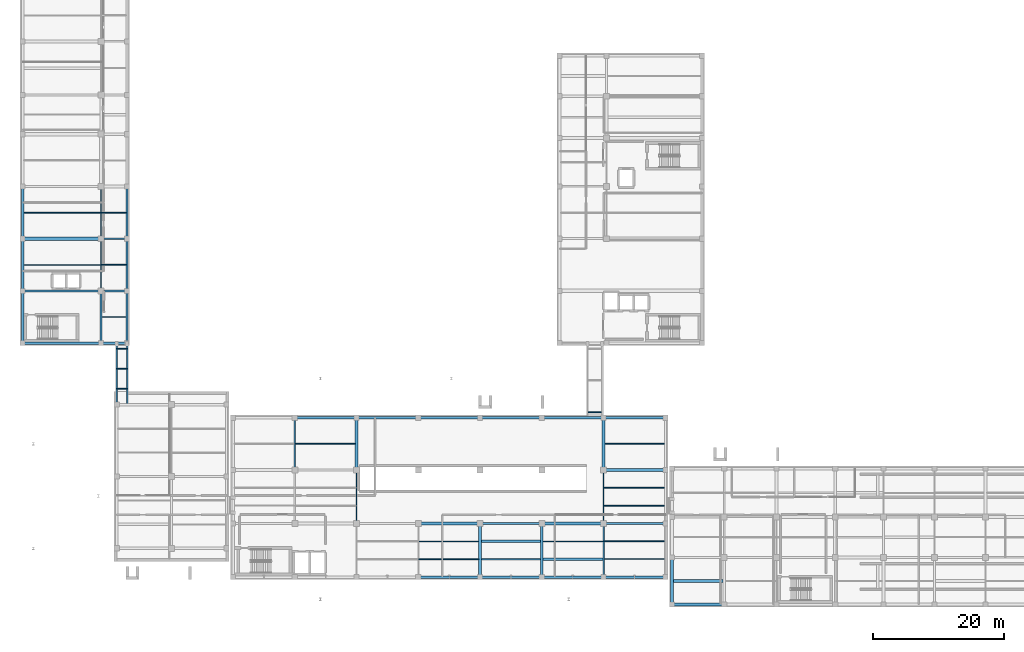
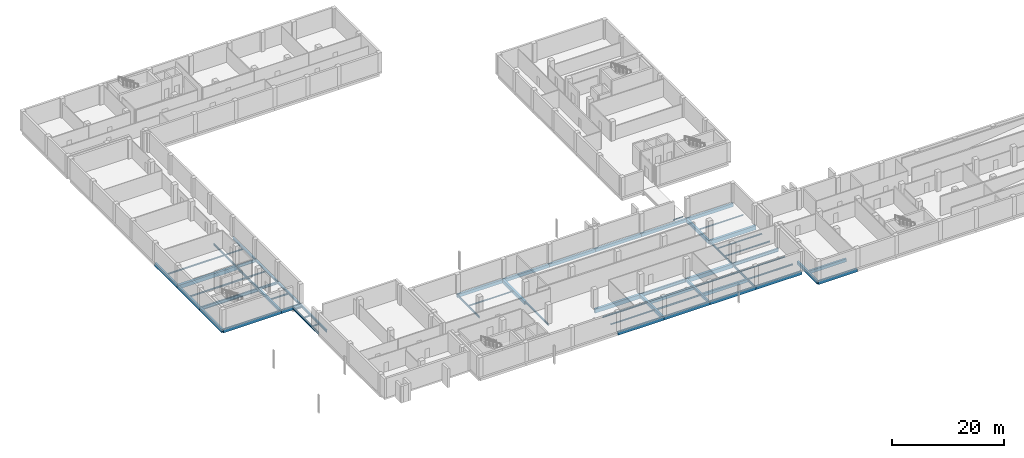
# One storey, part 9 of 31: 64 beams.
"""IFC4 building model written with IfcOpenShell, lengths in metres."""

import ifcopenshell
import ifcopenshell.guid

model = None  # the IFC model being written
_history = None  # IfcOwnerHistory: only IFC2X3 demands one
_inside = {}  # id of a spatial element -> (the spatial element, [elements in it])
_under = {}  # id of a project, library or spatial element -> (it, [spatial elements below it])
_declared = {}  # id of a project -> (the project, [libraries it declares])
_typed = {}  # id of a type object -> (the type object, [elements of that type])
_made_of = {}  # id of a material, layer set ... -> (it, [elements and type objects made of it])


def new_model(schema):
    """Start an empty IFC model of exactly this schema.

    Asked for "IFC4X3", IfcOpenShell would pick the latest addendum, in which some entities
    have other attributes; the version numbers below select the first issue.
    IFC2X3 requires an IfcOwnerHistory on every rooted entity: one is made here for all.
    """
    global model, _history
    if schema == "IFC4X3":
        model = ifcopenshell.file(schema_version=(4, 3, 0, 0))
    else:
        model = ifcopenshell.file(schema=schema)
    _inside.clear()
    _under.clear()
    _declared.clear()
    _typed.clear()
    _made_of.clear()
    _history = None
    if model.schema == "IFC2X3":
        org = make("IfcOrganization", Name="unknown")
        user = make(
            "IfcPersonAndOrganization",
            ThePerson=make("IfcPerson", FamilyName="unknown"),
            TheOrganization=org,
        )
        app = make(
            "IfcApplication",
            ApplicationDeveloper=org,
            Version="unknown",
            ApplicationFullName="unknown",
            ApplicationIdentifier="unknown",
        )
        _history = make(
            "IfcOwnerHistory",
            OwningUser=user,
            OwningApplication=app,
            ChangeAction="ADDED",
            CreationDate=0,
        )
    return model


def make(cls, **values):
    """One entity of the class cls with the attributes given. An attribute that is None is left unset."""
    return model.create_entity(
        cls, **{name: value for name, value in values.items() if value is not None}
    )


def rooted(cls, **values):
    """An entity with a GlobalId (a new one), such as an element, a storey or a relation."""
    return make(cls, GlobalId=ifcopenshell.guid.new(), OwnerHistory=_history, **values)


def si_unit(unit_type, name, prefix=None):
    """IfcSIUnit, for example si_unit("LENGTHUNIT", "METRE", prefix="MILLI")."""
    return make("IfcSIUnit", UnitType=unit_type, Prefix=prefix, Name=name)


def assignment(units):
    """IfcUnitAssignment: the units of a project."""
    return None if units is None else make("IfcUnitAssignment", Units=units)


def point(xyz):
    """IfcCartesianPoint."""
    return None if xyz is None else make("IfcCartesianPoint", Coordinates=xyz)


def direction(xyz):
    """IfcDirection."""
    return None if xyz is None else make("IfcDirection", DirectionRatios=xyz)


def frame(location, z_axis=None, x_axis=None):
    """IfcAxis2Placement3D, a coordinate frame: its origin and axes. An axis left out is left unset."""
    return make(
        "IfcAxis2Placement3D",
        Location=point(location),
        Axis=direction(z_axis),
        RefDirection=direction(x_axis),
    )


def frame_2d(location, x_axis=None):
    """IfcAxis2Placement2D, a coordinate frame in the plane: its origin and x axis."""
    return make(
        "IfcAxis2Placement2D", Location=point(location), RefDirection=direction(x_axis)
    )


def origin():
    """The frame at (0, 0, 0) with its axes left unset."""
    return frame((0.0, 0.0, 0.0))


def origin_2d():
    """The frame at (0, 0) in the plane with its x axis left unset."""
    return frame_2d((0.0, 0.0))


def place(relative_to, where):
    """IfcLocalPlacement: puts the frame where relative to a parent placement (None: the world)."""
    return make(
        "IfcLocalPlacement", PlacementRelTo=relative_to, RelativePlacement=where
    )


def context(
    kind, dimensions, precision=None, world=None, true_north=None, identifier=None
):
    """IfcGeometricRepresentationContext, for example the 3D "Model" context."""
    return make(
        "IfcGeometricRepresentationContext",
        ContextIdentifier=identifier,
        ContextType=kind,
        CoordinateSpaceDimension=dimensions,
        Precision=precision,
        WorldCoordinateSystem=world,
        TrueNorth=true_north,
    )


def subcontext(parent, identifier, kind, view, scale=None):
    """IfcGeometricRepresentationSubContext, for example "Body" below "Model"."""
    return make(
        "IfcGeometricRepresentationSubContext",
        ContextIdentifier=identifier,
        ContextType=kind,
        ParentContext=parent,
        TargetScale=scale,
        TargetView=view,
    )


def project(units=None, contexts=None):
    """IfcProject with its units and contexts."""
    return rooted(
        "IfcProject",
        Name="project",
        RepresentationContexts=contexts,
        UnitsInContext=assignment(units),
    )


def spatial(cls, under=None, at=None, **own):
    """A site, building, storey or space (cls), placed at a placement, below another one or the project."""
    s = rooted(cls, ObjectPlacement=at, **own)
    if under is not None:
        _under.setdefault(under.id(), (under, []))[1].append(s)
    return s


def profile(cls, at=None, kind="AREA", **sizes):
    """A parametric profile (cls). Its sizes go by their IFC names, for example OverallWidth=200.0."""
    return make(cls, ProfileType=kind, Position=at, **sizes)


def rectangle(**sizes):
    """IfcRectangleProfileDef."""
    return profile("IfcRectangleProfileDef", **sizes)


def i_section(**sizes):
    """IfcIShapeProfileDef."""
    return profile("IfcIShapeProfileDef", **sizes)


def extrude(swept, where, along, depth):
    """IfcExtrudedAreaSolid: the profile swept, set in the frame where, extruded along a direction by depth."""
    return make(
        "IfcExtrudedAreaSolid",
        SweptArea=swept,
        Position=where,
        ExtrudedDirection=direction(along),
        Depth=depth,
    )


def shape(context_of_items, identifier, shape_type, items):
    """IfcShapeRepresentation: the items that make up one representation, for example the "Body"."""
    return make(
        "IfcShapeRepresentation",
        ContextOfItems=context_of_items,
        RepresentationIdentifier=identifier,
        RepresentationType=shape_type,
        Items=items,
    )


def material(Name=None, Category=None):
    """IfcMaterial."""
    return make("IfcMaterial", Name=Name, Category=Category)


def material_profile(
    of_material, cross_section, Name=None, Category=None, Priority=None
):
    """IfcMaterialProfile: a cross section and its material."""
    return make(
        "IfcMaterialProfile",
        Name=Name,
        Material=of_material,
        Profile=cross_section,
        Priority=Priority,
        Category=Category,
    )


def profile_set(profiles, Name=None, composite=None):
    """IfcMaterialProfileSet."""
    return make(
        "IfcMaterialProfileSet",
        Name=Name,
        MaterialProfiles=profiles,
        CompositeProfile=composite,
    )


def made_of(thing, what):
    """Note that an element or type object is made of a material, layer set ...; save() writes the relation."""
    if what is not None:
        _made_of.setdefault(what.id(), (what, []))[1].append(thing)
    return thing


def type_object(cls, material=None, **own):
    """A type object (cls), such as IfcWallType, which elements share."""
    return made_of(rooted(cls, **own), material)


def element(
    cls,
    number,
    at=None,
    inside=None,
    cuts=None,
    type_object=None,
    material=None,
    context=None,
    identifier="Body",
    shape_type=None,
    held_by="IfcProductDefinitionShape",
    body=None,
    shapes=None,
    **own,
):
    """One element of the class cls, such as IfcWall. Its Tag is "e" and its number.

    at: its placement. inside: the storey or other place that contains it. cuts: it is an
    opening in that element (IfcRelVoidsElement). A single representation is given by context,
    identifier, shape_type and body (its items); several are given by shapes. held_by: the class
    of the entity that holds the representations. save() writes the other relations.
    """
    e = rooted(cls, Tag="e%d" % number, ObjectPlacement=at, **own)
    if body is not None:
        shapes = [shape(context, identifier, shape_type, body)]
    if shapes is not None:
        e.Representation = make(held_by, Representations=shapes)
    if inside is not None:
        _inside.setdefault(inside.id(), (inside, []))[1].append(e)
    if cuts is not None:
        rooted(
            "IfcRelVoidsElement", RelatingBuildingElement=cuts, RelatedOpeningElement=e
        )
    if type_object is not None:
        _typed.setdefault(type_object.id(), (type_object, []))[1].append(e)
    return made_of(e, material)


def aggregate(whole, parts):
    """IfcRelAggregates: a whole, such as a stair, and the parts it consists of."""
    return rooted("IfcRelAggregates", RelatingObject=whole, RelatedObjects=parts)


def save(model, path):
    """Write the relations noted so far, then the file.

    IfcRelAggregates (storeys below a building ...), IfcRelContainedInSpatialStructure (elements
    in a storey), IfcRelDefinesByType, IfcRelAssociatesMaterial and IfcRelDeclares: one each for
    every whole, place, type object, material and project.
    """
    for whole, parts in _under.values():
        aggregate(whole, parts)
    for where, things in _inside.values():
        rooted(
            "IfcRelContainedInSpatialStructure",
            RelatedElements=things,
            RelatingStructure=where,
        )
    for kind, things in _typed.values():
        rooted("IfcRelDefinesByType", RelatedObjects=things, RelatingType=kind)
    for what, things in _made_of.values():
        rooted("IfcRelAssociatesMaterial", RelatedObjects=things, RelatingMaterial=what)
    for by, libraries in _declared.values():
        rooted("IfcRelDeclares", RelatingContext=by, RelatedDefinitions=libraries)
    model.write(path)


model = new_model("IFC4")

# Units and contexts
model_context = context("Model", 3, precision=1e-05, world=origin(), true_north=direction((0.0, 1.0)))
body_context = subcontext(model_context, "Body", "Model", "MODEL_VIEW")
ifc_project = project(units=[si_unit("LENGTHUNIT", "METRE"), si_unit("AREAUNIT", "SQUARE_METRE"), si_unit("VOLUMEUNIT", "CUBIC_METRE"), si_unit("PLANEANGLEUNIT", "RADIAN"), si_unit("MASSUNIT", "GRAM", prefix="KILO")], contexts=[model_context])

# Site, building, storey
site_placement = place(None, origin())
site = spatial("IfcSite", under=ifc_project, at=site_placement, CompositionType="ELEMENT")
building_placement = place(site_placement, origin())
building = spatial("IfcBuilding", under=site, at=building_placement, Name="Qalavern Law Courts", CompositionType="ELEMENT")
storey_placement = place(building_placement, frame((0.0, 0.0, -4.199951171875)))
storey = spatial("IfcBuildingStorey", under=building, at=storey_placement, Name="B1", CompositionType="ELEMENT", Elevation=-4.199951171875)

# Beams
ifc_material_1 = material(Name="Steel S355", Category="steel")
ifc_material_profile_1 = material_profile(ifc_material_1, i_section(OverallWidth=0.300048828125, OverallDepth=0.489990234375, WebThickness=0.011962890625, FlangeThickness=0.02294921875, FilletRadius=0.027099609375, at=origin_2d()), Name="HEA 500")
ifc_profile_set_1 = profile_set([ifc_material_profile_1], Name="Steel S355")
beam_type_1 = type_object("IfcBeamType", Name="STR-BM-HEA500", PredefinedType="BEAM", material=ifc_profile_set_1)
beam_1_placement = place(storey_placement, frame((14.39990234375, 49.39990234375, -0.56494140625), z_axis=(1.0, 0.0, 0.0), x_axis=(0.0, 1.0, 0.0)))
element("IfcBeam", 1, at=beam_1_placement, inside=storey, type_object=beam_type_1, Name="V3 X-beam 2-2 B1", PredefinedType="BEAM", context=body_context, shape_type="SweptSolid", body=[
    extrude(i_section(OverallWidth=0.300048828125, OverallDepth=0.489990234375, WebThickness=0.011962890625, FlangeThickness=0.02294921875, FilletRadius=0.027099609375, at=origin_2d()), origin(), (0.0, 0.0, 1.0), 4.0),
])
ifc_material_profile_2 = material_profile(ifc_material_1, i_section(OverallWidth=0.300048828125, OverallDepth=0.699951171875, WebThickness=0.01708984375, FlangeThickness=0.031982421875, FilletRadius=0.027099609375, at=origin_2d()), Name="HEB 700")
ifc_profile_set_2 = profile_set([ifc_material_profile_2], Name="Steel S355")
beam_type_2 = type_object("IfcBeamType", Name="STR-BM-HEB700", PredefinedType="BEAM", material=ifc_profile_set_2)
for number, where, z_axis, x_axis, name in (
    (2, (72.43701171875, 13.800048828125, -0.670166015625), (1.0, 0.0, 0.0), (0.0, 1.0, 0.0), "V2 X-beam 2-5 B1"),
    (3, (91.345703125, 13.800048828125, -0.670166015625), (1.0, 0.0, 0.0), (0.0, 1.0, 0.0), "V2 X-beam 2-7 B1"),
):
    element("IfcBeam", number, at=place(storey_placement, frame(where, z_axis=z_axis, x_axis=x_axis)), inside=storey, type_object=beam_type_2, Name=name, PredefinedType="BEAM", context=body_context, shape_type="SweptSolid", body=[
        extrude(i_section(OverallWidth=0.300048828125, OverallDepth=0.699951171875, WebThickness=0.01708984375, FlangeThickness=0.031982421875, FilletRadius=0.027099609375, at=origin_2d()), origin(), (0.0, 0.0, 1.0), 9.454345703125),
    ])
beam_2_placement = place(storey_placement, frame((2.39990234375, 49.39990234375, -0.670166015625), z_axis=(1.0, 0.0, 0.0), x_axis=(0.0, 1.0, 0.0)))
element("IfcBeam", 4, at=beam_2_placement, inside=storey, type_object=beam_type_2, Name="V3 X-beam 2-1 B1", PredefinedType="BEAM", context=body_context, shape_type="SweptSolid", body=[
    extrude(i_section(OverallWidth=0.300048828125, OverallDepth=0.699951171875, WebThickness=0.01708984375, FlangeThickness=0.031982421875, FilletRadius=0.027099609375, at=origin_2d()), origin(), (0.0, 0.0, 1.0), 12.0),
])
ifc_material_profile_3 = material_profile(ifc_material_1, i_section(OverallWidth=0.179931640625, OverallDepth=0.39990234375, WebThickness=0.008544921875, FlangeThickness=0.013427734375, FilletRadius=0.02099609375, at=origin_2d()), Name="IPE 400")
ifc_profile_set_3 = profile_set([ifc_material_profile_3], Name="Steel S355")
beam_type_3 = type_object("IfcBeamType", Name="STR-BM-IPE400", PredefinedType="BEAM", material=ifc_profile_set_3)
beam_3_placement = place(storey_placement, frame((44.07421875, 22.0, -0.52001953125), z_axis=(0.0, 1.0, 0.0), x_axis=(-1.0, 0.0, 0.0)))
element("IfcBeam", 5, at=beam_3_placement, inside=storey, type_object=beam_type_3, Name="V2 Y-beam 2-3 B1", PredefinedType="BEAM", context=body_context, shape_type="SweptSolid", body=[
    extrude(i_section(OverallWidth=0.179931640625, OverallDepth=0.39990234375, WebThickness=0.008544921875, FlangeThickness=0.013427734375, FilletRadius=0.02099609375, at=origin_2d()), origin(), (0.0, 0.0, 1.0), 8.0),
])
for number, where, z_axis, x_axis, name in (
    (6, (53.528564453125, 13.800048828125, -0.52001953125), (0.0, 1.0, 0.0), (-1.0, 0.0, 0.0), "V2 Y-beam 3-2 B1"),
    (7, (91.345703125, 13.800048828125, -0.52001953125), (0.0, 1.0, 0.0), (-1.0, 0.0, 0.0), "V2 Y-beam 7-2 B1"),
):
    element("IfcBeam", number, at=place(storey_placement, frame(where, z_axis=z_axis, x_axis=x_axis)), inside=storey, type_object=beam_type_3, Name=name, PredefinedType="BEAM", context=body_context, shape_type="SweptSolid", body=[
        extrude(i_section(OverallWidth=0.179931640625, OverallDepth=0.39990234375, WebThickness=0.008544921875, FlangeThickness=0.013427734375, FilletRadius=0.02099609375, at=origin_2d()), origin(), (0.0, 0.0, 1.0), 8.199951171875),
    ])
beam_4_placement = place(storey_placement, frame((14.39990234375, 57.39990234375, -0.52001953125), z_axis=(0.0, 1.0, 0.0), x_axis=(-1.0, 0.0, 0.0)))
element("IfcBeam", 8, at=beam_4_placement, inside=storey, type_object=beam_type_3, Name="V3 Y-beam 2-3 B1", PredefinedType="BEAM", context=body_context, shape_type="SweptSolid", body=[
    extrude(i_section(OverallWidth=0.179931640625, OverallDepth=0.39990234375, WebThickness=0.008544921875, FlangeThickness=0.013427734375, FilletRadius=0.02099609375, at=origin_2d()), origin(), (0.0, 0.0, 1.0), 8.0),
])
ifc_material_profile_4 = material_profile(ifc_material_1, i_section(OverallWidth=0.199951171875, OverallDepth=0.5, WebThickness=0.01025390625, FlangeThickness=0.01611328125, FilletRadius=0.02099609375, at=origin_2d()), Name="IPE 500")
ifc_profile_set_4 = profile_set([ifc_material_profile_4], Name="Steel S355")
beam_type_4 = type_object("IfcBeamType", Name="STR-BM-IPE500", PredefinedType="BEAM", material=ifc_profile_set_4)
beam_5_placement = place(storey_placement, frame((91.345703125, 5.60009765625, -0.570068359375), z_axis=(0.0, 1.0, 0.0), x_axis=(-1.0, 0.0, 0.0)))
element("IfcBeam", 9, at=beam_5_placement, inside=storey, type_object=beam_type_4, Name="V2 Y-beam 7-1 B1", PredefinedType="BEAM", context=body_context, shape_type="SweptSolid", body=[
    extrude(i_section(OverallWidth=0.199951171875, OverallDepth=0.5, WebThickness=0.01025390625, FlangeThickness=0.01611328125, FilletRadius=0.02099609375, at=origin_2d()), origin(), (0.0, 0.0, 1.0), 8.199951171875),
])
beam_6_placement = place(storey_placement, frame((14.39990234375, 49.39990234375, -0.570068359375), z_axis=(0.0, 1.0, 0.0), x_axis=(-1.0, 0.0, 0.0)))
element("IfcBeam", 10, at=beam_6_placement, inside=storey, type_object=beam_type_4, Name="V3 Y-beam 2-2 B1", PredefinedType="BEAM", context=body_context, shape_type="SweptSolid", body=[
    extrude(i_section(OverallWidth=0.199951171875, OverallDepth=0.5, WebThickness=0.01025390625, FlangeThickness=0.01611328125, FilletRadius=0.02099609375, at=origin_2d()), origin(), (0.0, 0.0, 1.0), 8.0),
])
ifc_material_profile_5 = material_profile(ifc_material_1, i_section(OverallWidth=0.2099609375, OverallDepth=0.550048828125, WebThickness=0.010986328125, FlangeThickness=0.01708984375, FilletRadius=0.02392578125, at=origin_2d()), Name="IPE 550")
ifc_profile_set_5 = profile_set([ifc_material_profile_5], Name="Steel S355")
beam_type_5 = type_object("IfcBeamType", Name="STR-BM-IPE550", PredefinedType="BEAM", material=ifc_profile_set_5)
for number, where, z_axis, x_axis, name in (
    (11, (16.800048828125, 32.0, -0.594970703125), (0.0, 1.0, 0.0), (-1.0, 0.0, 0.0), "Bridge BR-V1-V3 edge girder 1 B1"),
    (12, (18.39990234375, 32.0, -0.594970703125), (0.0, 1.0, 0.0), (-1.0, 0.0, 0.0), "Bridge BR-V1-V3 edge girder 2 B1"),
):
    element("IfcBeam", number, at=place(storey_placement, frame(where, z_axis=z_axis, x_axis=x_axis)), inside=storey, type_object=beam_type_5, Name=name, PredefinedType="BEAM", context=body_context, shape_type="SweptSolid", body=[
        extrude(i_section(OverallWidth=0.2099609375, OverallDepth=0.550048828125, WebThickness=0.010986328125, FlangeThickness=0.01708984375, FilletRadius=0.02392578125, at=origin_2d()), origin(), (0.0, 0.0, 1.0), 9.419921875),
    ])
ifc_material_profile_6 = material_profile(ifc_material_1, i_section(OverallWidth=0.219970703125, OverallDepth=0.60009765625, WebThickness=0.011962890625, FlangeThickness=0.01904296875, FilletRadius=0.02392578125, at=origin_2d()), Name="IPE 600")
ifc_profile_set_6 = profile_set([ifc_material_profile_6], Name="Steel S355")
beam_type_6 = type_object("IfcBeamType", Name="STR-BM-IPE600", PredefinedType="BEAM", material=ifc_profile_set_6)
beam_7_placement = place(storey_placement, frame((14.39990234375, 57.39990234375, -0.6201171875), z_axis=(1.0, 0.0, 0.0), x_axis=(0.0, 1.0, 0.0)))
element("IfcBeam", 13, at=beam_7_placement, inside=storey, type_object=beam_type_6, Name="V3 X-beam 3-2 B1", PredefinedType="BEAM", context=body_context, shape_type="SweptSolid", body=[
    extrude(i_section(OverallWidth=0.219970703125, OverallDepth=0.60009765625, WebThickness=0.011962890625, FlangeThickness=0.01904296875, FilletRadius=0.02392578125, at=origin_2d()), origin(), (0.0, 0.0, 1.0), 4.0),
])
ifc_material_2 = material(Name="Concrete C35/45", Category="concrete")
ifc_material_profile_7 = material_profile(ifc_material_2, rectangle(XDim=0.35009765625, YDim=0.550048828125, at=origin_2d()), Name="RC 350x550")
ifc_profile_set_7 = profile_set([ifc_material_profile_7], Name="Concrete C35/45")
beam_type_7 = type_object("IfcBeamType", Name="STR-BM-RC350x550", PredefinedType="BEAM", material=ifc_profile_set_7)
beam_8_placement = place(storey_placement, frame((81.891357421875, 5.60009765625, -0.594970703125), z_axis=(0.0, 1.0, 0.0), x_axis=(-1.0, 0.0, 0.0)))
element("IfcBeam", 14, at=beam_8_placement, inside=storey, type_object=beam_type_7, Name="V2 Y-beam 6-1 B1", PredefinedType="BEAM", context=body_context, shape_type="SweptSolid", body=[
    extrude(rectangle(XDim=0.35009765625, YDim=0.550048828125, at=origin_2d()), origin(), (0.0, 0.0, 1.0), 8.199951171875),
])
beam_9_placement = place(storey_placement, frame((14.39990234375, 41.419921875, -0.594970703125), z_axis=(0.0, 1.0, 0.0), x_axis=(-1.0, 0.0, 0.0)))
element("IfcBeam", 15, at=beam_9_placement, inside=storey, type_object=beam_type_7, Name="V3 Y-beam 2-1 B1", PredefinedType="BEAM", context=body_context, shape_type="SweptSolid", body=[
    extrude(rectangle(XDim=0.35009765625, YDim=0.550048828125, at=origin_2d()), origin(), (0.0, 0.0, 1.0), 7.97998046875),
])
ifc_material_3 = material(Name="Concrete C40/50", Category="concrete")
ifc_material_profile_8 = material_profile(ifc_material_3, rectangle(XDim=0.449951171875, YDim=0.75, at=origin_2d()), Name="RC 450x750")
ifc_profile_set_8 = profile_set([ifc_material_profile_8], Name="Concrete C40/50")
beam_type_8 = type_object("IfcBeamType", Name="STR-BM-RC450x750", PredefinedType="BEAM", material=ifc_profile_set_8)
beam_10_placement = place(storey_placement, frame((53.528564453125, 22.0, -0.695068359375), z_axis=(0.0, 1.0, 0.0), x_axis=(-1.0, 0.0, 0.0)))
element("IfcBeam", 16, at=beam_10_placement, inside=storey, type_object=beam_type_8, Name="V2 Y-beam 3-3 B1", PredefinedType="BEAM", context=body_context, shape_type="SweptSolid", body=[
    extrude(rectangle(XDim=0.449951171875, YDim=0.75, at=origin_2d()), origin(), (0.0, 0.0, 1.0), 8.0),
])
beam_11_placement = place(storey_placement, frame((72.43701171875, 5.60009765625, -0.695068359375), z_axis=(0.0, 1.0, 0.0), x_axis=(-1.0, 0.0, 0.0)))
element("IfcBeam", 17, at=beam_11_placement, inside=storey, type_object=beam_type_8, Name="V2 Y-beam 5-1 B1", PredefinedType="BEAM", context=body_context, shape_type="SweptSolid", body=[
    extrude(rectangle(XDim=0.449951171875, YDim=0.75, at=origin_2d()), origin(), (0.0, 0.0, 1.0), 8.199951171875),
])
beam_12_placement = place(storey_placement, frame((91.345703125, 22.0, -0.695068359375), z_axis=(0.0, 1.0, 0.0), x_axis=(-1.0, 0.0, 0.0)))
element("IfcBeam", 18, at=beam_12_placement, inside=storey, type_object=beam_type_8, Name="V2 Y-beam 7-3 B1", PredefinedType="BEAM", context=body_context, shape_type="SweptSolid", body=[
    extrude(rectangle(XDim=0.449951171875, YDim=0.75, at=origin_2d()), origin(), (0.0, 0.0, 1.0), 8.0),
])
ifc_material_profile_9 = material_profile(ifc_material_3, rectangle(XDim=0.5, YDim=0.85009765625, at=origin_2d()), Name="RC 500x850")
ifc_profile_set_9 = profile_set([ifc_material_profile_9], Name="Concrete C40/50")
beam_type_9 = type_object("IfcBeamType", Name="STR-BM-RC500x850", PredefinedType="BEAM", material=ifc_profile_set_9)
beam_13_placement = place(storey_placement, frame((62.98291015625, 13.800048828125, -0.7451171875), z_axis=(1.0, 0.0, 0.0), x_axis=(0.0, 1.0, 0.0)))
element("IfcBeam", 19, at=beam_13_placement, inside=storey, type_object=beam_type_9, Name="V2 X-beam 2-4 B1", PredefinedType="BEAM", context=body_context, shape_type="SweptSolid", body=[
    extrude(rectangle(XDim=0.5, YDim=0.85009765625, at=origin_2d()), origin(), (0.0, 0.0, 1.0), 9.4541015625),
])
for number, where, z_axis, x_axis, name in (
    (20, (81.891357421875, 13.800048828125, -0.7451171875), (1.0, 0.0, 0.0), (0.0, 1.0, 0.0), "V2 X-beam 2-6 B1"),
    (21, (91.345703125, 22.0, -0.7451171875), (1.0, 0.0, 0.0), (0.0, 1.0, 0.0), "V2 X-beam 3-7 B1"),
):
    element("IfcBeam", number, at=place(storey_placement, frame(where, z_axis=z_axis, x_axis=x_axis)), inside=storey, type_object=beam_type_9, Name=name, PredefinedType="BEAM", context=body_context, shape_type="SweptSolid", body=[
        extrude(rectangle(XDim=0.5, YDim=0.85009765625, at=origin_2d()), origin(), (0.0, 0.0, 1.0), 9.454345703125),
    ])
beam_14_placement = place(storey_placement, frame((2.39990234375, 57.39990234375, -0.7451171875), z_axis=(1.0, 0.0, 0.0), x_axis=(0.0, 1.0, 0.0)))
element("IfcBeam", 22, at=beam_14_placement, inside=storey, type_object=beam_type_9, Name="V3 X-beam 3-1 B1", PredefinedType="BEAM", context=body_context, shape_type="SweptSolid", body=[
    extrude(rectangle(XDim=0.5, YDim=0.85009765625, at=origin_2d()), origin(), (0.0, 0.0, 1.0), 12.0),
])
ifc_material_profile_10 = material_profile(ifc_material_1, i_section(OverallWidth=0.135009765625, OverallDepth=0.27001953125, WebThickness=0.006591796875, FlangeThickness=0.01025390625, FilletRadius=0.014892578125, at=origin_2d()), Name="IPE 270")
ifc_profile_set_10 = profile_set([ifc_material_profile_10], Name="Steel S355")
beam_type_10 = type_object("IfcBeamType", Name="STR-JST-IPE270", PredefinedType="JOIST", material=ifc_profile_set_10)
for number, where, z_axis, x_axis, name in (
    (23, (44.162353515625, 26.0, -0.455078125), (1.0, 0.0, 0.0), (0.0, 1.0, 0.0), "V2 secondary joist 2.3.1 B1"),
    (24, (63.07080078125, 8.333251953125, -0.455078125), (1.0, 0.0, 0.0), (0.0, 1.0, 0.0), "V2 secondary joist 4.1.1 B1"),
):
    element("IfcBeam", number, at=place(storey_placement, frame(where, z_axis=z_axis, x_axis=x_axis)), inside=storey, type_object=beam_type_10, Name=name, PredefinedType="JOIST", context=body_context, shape_type="SweptSolid", body=[
        extrude(i_section(OverallWidth=0.135009765625, OverallDepth=0.27001953125, WebThickness=0.006591796875, FlangeThickness=0.01025390625, FilletRadius=0.014892578125, at=origin_2d()), origin(), (0.0, 0.0, 1.0), 9.143310546875),
    ])
beam_15_placement = place(storey_placement, frame((91.43359375, 19.2666015625, -0.455078125), z_axis=(1.0, 0.0, 0.0), x_axis=(0.0, 1.0, 0.0)))
element("IfcBeam", 25, at=beam_15_placement, inside=storey, type_object=beam_type_10, Name="V2 secondary joist 7.2.2 B1", PredefinedType="JOIST", context=body_context, shape_type="SweptSolid", body=[
    extrude(i_section(OverallWidth=0.135009765625, OverallDepth=0.27001953125, WebThickness=0.006591796875, FlangeThickness=0.01025390625, FilletRadius=0.014892578125, at=origin_2d()), origin(), (0.0, 0.0, 1.0), 9.218505859375),
])
beam_16_placement = place(storey_placement, frame((91.568603515625, 26.0, -0.455078125), z_axis=(1.0, 0.0, 0.0), x_axis=(0.0, 1.0, 0.0)))
element("IfcBeam", 26, at=beam_16_placement, inside=storey, type_object=beam_type_10, Name="V2 secondary joist 7.3.1 B1", PredefinedType="JOIST", context=body_context, shape_type="SweptSolid", body=[
    extrude(i_section(OverallWidth=0.135009765625, OverallDepth=0.27001953125, WebThickness=0.006591796875, FlangeThickness=0.01025390625, FilletRadius=0.014892578125, at=origin_2d()), origin(), (0.0, 0.0, 1.0), 9.08349609375),
])
beam_17_placement = place(storey_placement, frame((14.488037109375, 61.39990234375, -0.455078125), z_axis=(1.0, 0.0, 0.0), x_axis=(0.0, 1.0, 0.0)))
element("IfcBeam", 27, at=beam_17_placement, inside=storey, type_object=beam_type_10, Name="V3 secondary joist 2.3.1 B1", PredefinedType="JOIST", context=body_context, shape_type="SweptSolid", body=[
    extrude(i_section(OverallWidth=0.135009765625, OverallDepth=0.27001953125, WebThickness=0.006591796875, FlangeThickness=0.01025390625, FilletRadius=0.014892578125, at=origin_2d()), origin(), (0.0, 0.0, 1.0), 3.763916015625),
])
ifc_material_profile_11 = material_profile(ifc_material_1, i_section(OverallWidth=0.14990234375, OverallDepth=0.300048828125, WebThickness=0.007080078125, FlangeThickness=0.0107421875, FilletRadius=0.014892578125, at=origin_2d()), Name="IPE 300")
ifc_profile_set_11 = profile_set([ifc_material_profile_11], Name="Steel S355")
beam_type_11 = type_object("IfcBeamType", Name="STR-JST-IPE300", PredefinedType="JOIST", material=ifc_profile_set_11)
beam_18_placement = place(storey_placement, frame((91.443603515625, 11.066650390625, -0.469970703125), z_axis=(1.0, 0.0, 0.0), x_axis=(0.0, 1.0, 0.0)))
element("IfcBeam", 28, at=beam_18_placement, inside=storey, type_object=beam_type_11, Name="V2 secondary joist 7.1.2 B1", PredefinedType="JOIST", context=body_context, shape_type="SweptSolid", body=[
    extrude(i_section(OverallWidth=0.14990234375, OverallDepth=0.300048828125, WebThickness=0.007080078125, FlangeThickness=0.0107421875, FilletRadius=0.014892578125, at=origin_2d()), origin(), (0.0, 0.0, 1.0), 9.20849609375),
])
beam_19_placement = place(storey_placement, frame((91.43359375, 16.533203125, -0.469970703125), z_axis=(1.0, 0.0, 0.0), x_axis=(0.0, 1.0, 0.0)))
element("IfcBeam", 29, at=beam_19_placement, inside=storey, type_object=beam_type_11, Name="V2 secondary joist 7.2.1 B1", PredefinedType="JOIST", context=body_context, shape_type="SweptSolid", body=[
    extrude(i_section(OverallWidth=0.14990234375, OverallDepth=0.300048828125, WebThickness=0.007080078125, FlangeThickness=0.0107421875, FilletRadius=0.014892578125, at=origin_2d()), origin(), (0.0, 0.0, 1.0), 9.218505859375),
])
beam_20_placement = place(storey_placement, frame((2.597900390625, 61.39990234375, -0.469970703125), z_axis=(1.0, 0.0, 0.0), x_axis=(0.0, 1.0, 0.0)))
element("IfcBeam", 30, at=beam_20_placement, inside=storey, type_object=beam_type_11, Name="V3 secondary joist 1.3.1 B1", PredefinedType="JOIST", context=body_context, shape_type="SweptSolid", body=[
    extrude(i_section(OverallWidth=0.14990234375, OverallDepth=0.300048828125, WebThickness=0.007080078125, FlangeThickness=0.0107421875, FilletRadius=0.014892578125, at=origin_2d()), origin(), (0.0, 0.0, 1.0), 11.714111328125),
])
beam_21_placement = place(storey_placement, frame((14.498046875, 53.39990234375, -0.469970703125), z_axis=(1.0, 0.0, 0.0), x_axis=(0.0, 1.0, 0.0)))
element("IfcBeam", 31, at=beam_21_placement, inside=storey, type_object=beam_type_11, Name="V3 secondary joist 2.2.1 B1", PredefinedType="JOIST", context=body_context, shape_type="SweptSolid", body=[
    extrude(i_section(OverallWidth=0.14990234375, OverallDepth=0.300048828125, WebThickness=0.007080078125, FlangeThickness=0.0107421875, FilletRadius=0.014892578125, at=origin_2d()), origin(), (0.0, 0.0, 1.0), 3.75390625),
])
for number, where, z_axis, x_axis, name in (
    (32, (16.8798828125, 34.449951171875, -0.469970703125), (1.0, 0.0, 0.0), (0.0, 1.0, 0.0), "Bridge BR-V1-V3 cross beam 1 B1"),
    (33, (16.8798828125, 37.510009765625, -0.469970703125), (1.0, 0.0, 0.0), (0.0, 1.0, 0.0), "Bridge BR-V1-V3 cross beam 2 B1"),
    (34, (16.8798828125, 40.570068359375, -0.469970703125), (1.0, 0.0, 0.0), (0.0, 1.0, 0.0), "Bridge BR-V1-V3 cross beam 3 B1"),
):
    element("IfcBeam", number, at=place(storey_placement, frame(where, z_axis=z_axis, x_axis=x_axis)), inside=storey, type_object=beam_type_11, Name=name, PredefinedType="JOIST", context=body_context, shape_type="SweptSolid", body=[
        extrude(i_section(OverallWidth=0.14990234375, OverallDepth=0.300048828125, WebThickness=0.007080078125, FlangeThickness=0.0107421875, FilletRadius=0.014892578125, at=origin_2d()), origin(), (0.0, 0.0, 1.0), 1.440185546875),
    ])
beam_22_placement = place(storey_placement, frame((88.97998046875, 30.85009765625, -0.469970703125), z_axis=(1.0, 0.0, 0.0), x_axis=(0.0, 1.0, 0.0)))
element("IfcBeam", 35, at=beam_22_placement, inside=storey, type_object=beam_type_11, Name="Bridge BR-V2-V4 cross beam 1 B1", PredefinedType="JOIST", context=body_context, shape_type="SweptSolid", body=[
    extrude(i_section(OverallWidth=0.14990234375, OverallDepth=0.300048828125, WebThickness=0.007080078125, FlangeThickness=0.0107421875, FilletRadius=0.014892578125, at=origin_2d()), origin(), (0.0, 0.0, 1.0), 2.0400390625),
])
ifc_material_profile_12 = material_profile(ifc_material_1, i_section(OverallWidth=0.159912109375, OverallDepth=0.330078125, WebThickness=0.007568359375, FlangeThickness=0.011474609375, FilletRadius=0.01806640625, at=origin_2d()), Name="IPE 330")
ifc_profile_set_12 = profile_set([ifc_material_profile_12], Name="Steel S355")
beam_type_12 = type_object("IfcBeamType", Name="STR-JST-IPE330", PredefinedType="JOIST", material=ifc_profile_set_12)
beam_23_placement = place(storey_placement, frame((82.064453125, 11.066650390625, -0.485107421875), z_axis=(1.0, 0.0, 0.0), x_axis=(0.0, 1.0, 0.0)))
element("IfcBeam", 36, at=beam_23_placement, inside=storey, type_object=beam_type_12, Name="V2 secondary joist 6.1.2 B1", PredefinedType="JOIST", context=body_context, shape_type="SweptSolid", body=[
    extrude(i_section(OverallWidth=0.159912109375, OverallDepth=0.330078125, WebThickness=0.007568359375, FlangeThickness=0.011474609375, FilletRadius=0.01806640625, at=origin_2d()), origin(), (0.0, 0.0, 1.0), 9.183349609375),
])
beam_24_placement = place(storey_placement, frame((91.443603515625, 8.333251953125, -0.485107421875), z_axis=(1.0, 0.0, 0.0), x_axis=(0.0, 1.0, 0.0)))
element("IfcBeam", 37, at=beam_24_placement, inside=storey, type_object=beam_type_12, Name="V2 secondary joist 7.1.1 B1", PredefinedType="JOIST", context=body_context, shape_type="SweptSolid", body=[
    extrude(i_section(OverallWidth=0.159912109375, OverallDepth=0.330078125, WebThickness=0.007568359375, FlangeThickness=0.011474609375, FilletRadius=0.01806640625, at=origin_2d()), origin(), (0.0, 0.0, 1.0), 9.20849609375),
])
beam_25_placement = place(storey_placement, frame((2.597900390625, 53.39990234375, -0.485107421875), z_axis=(1.0, 0.0, 0.0), x_axis=(0.0, 1.0, 0.0)))
element("IfcBeam", 38, at=beam_25_placement, inside=storey, type_object=beam_type_12, Name="V3 secondary joist 1.2.1 B1", PredefinedType="JOIST", context=body_context, shape_type="SweptSolid", body=[
    extrude(i_section(OverallWidth=0.159912109375, OverallDepth=0.330078125, WebThickness=0.007568359375, FlangeThickness=0.011474609375, FilletRadius=0.01806640625, at=origin_2d()), origin(), (0.0, 0.0, 1.0), 11.7041015625),
])
beam_26_placement = place(storey_placement, frame((14.572998046875, 45.409912109375, -0.485107421875), z_axis=(1.0, 0.0, 0.0), x_axis=(0.0, 1.0, 0.0)))
element("IfcBeam", 39, at=beam_26_placement, inside=storey, type_object=beam_type_12, Name="V3 secondary joist 2.1.1 B1", PredefinedType="JOIST", context=body_context, shape_type="SweptSolid", body=[
    extrude(i_section(OverallWidth=0.159912109375, OverallDepth=0.330078125, WebThickness=0.007568359375, FlangeThickness=0.011474609375, FilletRadius=0.01806640625, at=origin_2d()), origin(), (0.0, 0.0, 1.0), 3.678955078125),
])
ifc_material_profile_13 = material_profile(ifc_material_1, i_section(OverallWidth=0.169921875, OverallDepth=0.360107421875, WebThickness=0.008056640625, FlangeThickness=0.0126953125, FilletRadius=0.01806640625, at=origin_2d()), Name="IPE 360")
ifc_profile_set_13 = profile_set([ifc_material_profile_13], Name="Steel S355")
beam_type_13 = type_object("IfcBeamType", Name="STR-JST-IPE360", PredefinedType="JOIST", material=ifc_profile_set_13)
beam_27_placement = place(storey_placement, frame((63.07080078125, 11.066650390625, -0.5), z_axis=(1.0, 0.0, 0.0), x_axis=(0.0, 1.0, 0.0)))
element("IfcBeam", 40, at=beam_27_placement, inside=storey, type_object=beam_type_13, Name="V2 secondary joist 4.1.2 B1", PredefinedType="JOIST", context=body_context, shape_type="SweptSolid", body=[
    extrude(i_section(OverallWidth=0.169921875, OverallDepth=0.360107421875, WebThickness=0.008056640625, FlangeThickness=0.0126953125, FilletRadius=0.01806640625, at=origin_2d()), origin(), (0.0, 0.0, 1.0), 9.143310546875),
])
beam_28_placement = place(storey_placement, frame((72.66015625, 8.333251953125, -0.5), z_axis=(1.0, 0.0, 0.0), x_axis=(0.0, 1.0, 0.0)))
element("IfcBeam", 41, at=beam_28_placement, inside=storey, type_object=beam_type_13, Name="V2 secondary joist 5.1.1 B1", PredefinedType="JOIST", context=body_context, shape_type="SweptSolid", body=[
    extrude(i_section(OverallWidth=0.169921875, OverallDepth=0.360107421875, WebThickness=0.008056640625, FlangeThickness=0.0126953125, FilletRadius=0.01806640625, at=origin_2d()), origin(), (0.0, 0.0, 1.0), 9.058349609375),
])
ifc_material_profile_14 = material_profile(ifc_material_2, rectangle(XDim=0.39990234375, YDim=0.64990234375, at=origin_2d()), Name="RC 400x650")
ifc_profile_set_14 = profile_set([ifc_material_profile_14], Name="Concrete C35/45")
beam_type_14 = type_object("IfcBeamType", Name="STR-JST-RC400x650", PredefinedType="JOIST", material=ifc_profile_set_14)
beam_29_placement = place(storey_placement, frame((72.66015625, 11.066650390625, -0.64501953125), z_axis=(1.0, 0.0, 0.0), x_axis=(0.0, 1.0, 0.0)))
element("IfcBeam", 42, at=beam_29_placement, inside=storey, type_object=beam_type_14, Name="V2 secondary joist 5.1.2 B1", PredefinedType="JOIST", context=body_context, shape_type="SweptSolid", body=[
    extrude(rectangle(XDim=0.39990234375, YDim=0.64990234375, at=origin_2d()), origin(), (0.0, 0.0, 1.0), 9.058349609375),
])
beam_30_placement = place(storey_placement, frame((82.064453125, 8.333251953125, -0.64501953125), z_axis=(1.0, 0.0, 0.0), x_axis=(0.0, 1.0, 0.0)))
element("IfcBeam", 43, at=beam_30_placement, inside=storey, type_object=beam_type_14, Name="V2 secondary joist 6.1.1 B1", PredefinedType="JOIST", context=body_context, shape_type="SweptSolid", body=[
    extrude(rectangle(XDim=0.39990234375, YDim=0.64990234375, at=origin_2d()), origin(), (0.0, 0.0, 1.0), 9.183349609375),
])
beam_31_placement = place(storey_placement, frame((102.01806640625, 5.0, -0.64501953125), z_axis=(1.0, 0.0, 0.0), x_axis=(0.0, 1.0, 0.0)))
element("IfcBeam", 44, at=beam_31_placement, inside=storey, type_object=beam_type_14, Name="V6 secondary joist 1.1.1 B1", PredefinedType="JOIST", context=body_context, shape_type="SweptSolid", body=[
    extrude(rectangle(XDim=0.39990234375, YDim=0.64990234375, at=origin_2d()), origin(), (0.0, 0.0, 1.0), 7.60888671875),
])
ifc_material_profile_15 = material_profile(ifc_material_1, i_section(OverallWidth=0.300048828125, OverallDepth=0.449951171875, WebThickness=0.013916015625, FlangeThickness=0.02587890625, FilletRadius=0.027099609375, at=origin_2d()), Name="HEB 450")
ifc_profile_set_15 = profile_set([ifc_material_profile_15], Name="Steel S355")
beam_type_15 = type_object("IfcBeamType", Name="STR-SP-HEB450", PredefinedType="SPANDREL", material=ifc_profile_set_15)
beam_32_placement = place(storey_placement, frame((18.39990234375, 41.419921875, -0.545166015625), z_axis=(0.0, 1.0, 0.0), x_axis=(-1.0, 0.0, 0.0)))
element("IfcBeam", 45, at=beam_32_placement, inside=storey, type_object=beam_type_15, Name="V3 Y-beam 3-1 B1", PredefinedType="SPANDREL", context=body_context, shape_type="SweptSolid", body=[
    extrude(i_section(OverallWidth=0.300048828125, OverallDepth=0.449951171875, WebThickness=0.013916015625, FlangeThickness=0.02587890625, FilletRadius=0.027099609375, at=origin_2d()), origin(), (0.0, 0.0, 1.0), 7.97998046875),
])
for number, where, z_axis, x_axis, name in (
    (46, (18.39990234375, 49.39990234375, -0.545166015625), (0.0, 1.0, 0.0), (-1.0, 0.0, 0.0), "V3 Y-beam 3-2 B1"),
    (47, (18.39990234375, 57.39990234375, -0.545166015625), (0.0, 1.0, 0.0), (-1.0, 0.0, 0.0), "V3 Y-beam 3-3 B1"),
):
    element("IfcBeam", number, at=place(storey_placement, frame(where, z_axis=z_axis, x_axis=x_axis)), inside=storey, type_object=beam_type_15, Name=name, PredefinedType="SPANDREL", context=body_context, shape_type="SweptSolid", body=[
        extrude(i_section(OverallWidth=0.300048828125, OverallDepth=0.449951171875, WebThickness=0.013916015625, FlangeThickness=0.02587890625, FilletRadius=0.027099609375, at=origin_2d()), origin(), (0.0, 0.0, 1.0), 8.0),
    ])
ifc_material_profile_16 = material_profile(ifc_material_3, rectangle(XDim=0.39990234375, YDim=0.699951171875, at=origin_2d()), Name="RC 400x700")
ifc_profile_set_16 = profile_set([ifc_material_profile_16], Name="Concrete C40/50")
beam_type_16 = type_object("IfcBeamType", Name="STR-SP-RC400x700", PredefinedType="SPANDREL", material=ifc_profile_set_16)
beam_33_placement = place(storey_placement, frame((62.98291015625, 5.60009765625, -0.670166015625), z_axis=(1.0, 0.0, 0.0), x_axis=(0.0, 1.0, 0.0)))
element("IfcBeam", 48, at=beam_33_placement, inside=storey, type_object=beam_type_16, Name="V2 X-beam 1-4 B1", PredefinedType="SPANDREL", context=body_context, shape_type="SweptSolid", body=[
    extrude(rectangle(XDim=0.39990234375, YDim=0.699951171875, at=origin_2d()), origin(), (0.0, 0.0, 1.0), 9.4541015625),
])
for number, where, z_axis, x_axis, name in (
    (49, (72.43701171875, 5.60009765625, -0.670166015625), (1.0, 0.0, 0.0), (0.0, 1.0, 0.0), "V2 X-beam 1-5 B1"),
    (50, (81.891357421875, 5.60009765625, -0.670166015625), (1.0, 0.0, 0.0), (0.0, 1.0, 0.0), "V2 X-beam 1-6 B1"),
    (51, (91.345703125, 5.60009765625, -0.670166015625), (1.0, 0.0, 0.0), (0.0, 1.0, 0.0), "V2 X-beam 1-7 B1"),
    (52, (44.07421875, 30.0, -0.670166015625), (1.0, 0.0, 0.0), (0.0, 1.0, 0.0), "V2 X-beam 4-2 B1"),
    (53, (53.528564453125, 30.0, -0.670166015625), (1.0, 0.0, 0.0), (0.0, 1.0, 0.0), "V2 X-beam 4-3 B1"),
):
    element("IfcBeam", number, at=place(storey_placement, frame(where, z_axis=z_axis, x_axis=x_axis)), inside=storey, type_object=beam_type_16, Name=name, PredefinedType="SPANDREL", context=body_context, shape_type="SweptSolid", body=[
        extrude(rectangle(XDim=0.39990234375, YDim=0.699951171875, at=origin_2d()), origin(), (0.0, 0.0, 1.0), 9.454345703125),
    ])
beam_34_placement = place(storey_placement, frame((62.98291015625, 30.0, -0.670166015625), z_axis=(1.0, 0.0, 0.0), x_axis=(0.0, 1.0, 0.0)))
element("IfcBeam", 54, at=beam_34_placement, inside=storey, type_object=beam_type_16, Name="V2 X-beam 4-4 B1", PredefinedType="SPANDREL", context=body_context, shape_type="SweptSolid", body=[
    extrude(rectangle(XDim=0.39990234375, YDim=0.699951171875, at=origin_2d()), origin(), (0.0, 0.0, 1.0), 9.4541015625),
])
for number, where, z_axis, x_axis, name in (
    (55, (72.43701171875, 30.0, -0.670166015625), (1.0, 0.0, 0.0), (0.0, 1.0, 0.0), "V2 X-beam 4-5 B1"),
    (56, (81.891357421875, 30.0, -0.670166015625), (1.0, 0.0, 0.0), (0.0, 1.0, 0.0), "V2 X-beam 4-6 B1"),
    (57, (91.345703125, 30.0, -0.670166015625), (1.0, 0.0, 0.0), (0.0, 1.0, 0.0), "V2 X-beam 4-7 B1"),
):
    element("IfcBeam", number, at=place(storey_placement, frame(where, z_axis=z_axis, x_axis=x_axis)), inside=storey, type_object=beam_type_16, Name=name, PredefinedType="SPANDREL", context=body_context, shape_type="SweptSolid", body=[
        extrude(rectangle(XDim=0.39990234375, YDim=0.699951171875, at=origin_2d()), origin(), (0.0, 0.0, 1.0), 9.454345703125),
    ])
beam_35_placement = place(storey_placement, frame((2.39990234375, 41.419921875, -0.670166015625), z_axis=(1.0, 0.0, 0.0), x_axis=(0.0, 1.0, 0.0)))
element("IfcBeam", 58, at=beam_35_placement, inside=storey, type_object=beam_type_16, Name="V3 X-beam 1-1 B1", PredefinedType="SPANDREL", context=body_context, shape_type="SweptSolid", body=[
    extrude(rectangle(XDim=0.39990234375, YDim=0.699951171875, at=origin_2d()), origin(), (0.0, 0.0, 1.0), 12.0),
])
beam_36_placement = place(storey_placement, frame((14.39990234375, 41.419921875, -0.670166015625), z_axis=(1.0, 0.0, 0.0), x_axis=(0.0, 1.0, 0.0)))
element("IfcBeam", 59, at=beam_36_placement, inside=storey, type_object=beam_type_16, Name="V3 X-beam 1-2 B1", PredefinedType="SPANDREL", context=body_context, shape_type="SweptSolid", body=[
    extrude(rectangle(XDim=0.39990234375, YDim=0.699951171875, at=origin_2d()), origin(), (0.0, 0.0, 1.0), 4.0),
])
beam_37_placement = place(storey_placement, frame((2.39990234375, 41.419921875, -0.670166015625), z_axis=(0.0, 1.0, 0.0), x_axis=(-1.0, 0.0, 0.0)))
element("IfcBeam", 60, at=beam_37_placement, inside=storey, type_object=beam_type_16, Name="V3 Y-beam 1-1 B1", PredefinedType="SPANDREL", context=body_context, shape_type="SweptSolid", body=[
    extrude(rectangle(XDim=0.39990234375, YDim=0.699951171875, at=origin_2d()), origin(), (0.0, 0.0, 1.0), 7.97998046875),
])
for number, where, z_axis, x_axis, name in (
    (61, (2.39990234375, 49.39990234375, -0.670166015625), (0.0, 1.0, 0.0), (-1.0, 0.0, 0.0), "V3 Y-beam 1-2 B1"),
    (62, (2.39990234375, 57.39990234375, -0.670166015625), (0.0, 1.0, 0.0), (-1.0, 0.0, 0.0), "V3 Y-beam 1-3 B1"),
):
    element("IfcBeam", number, at=place(storey_placement, frame(where, z_axis=z_axis, x_axis=x_axis)), inside=storey, type_object=beam_type_16, Name=name, PredefinedType="SPANDREL", context=body_context, shape_type="SweptSolid", body=[
        extrude(rectangle(XDim=0.39990234375, YDim=0.699951171875, at=origin_2d()), origin(), (0.0, 0.0, 1.0), 8.0),
    ])
beam_38_placement = place(storey_placement, frame((101.820068359375, 1.39990234375, -0.670166015625), z_axis=(1.0, 0.0, 0.0), x_axis=(0.0, 1.0, 0.0)))
element("IfcBeam", 63, at=beam_38_placement, inside=storey, type_object=beam_type_16, Name="V6 X-beam 1-1 B1", PredefinedType="SPANDREL", context=body_context, shape_type="SweptSolid", body=[
    extrude(rectangle(XDim=0.39990234375, YDim=0.699951171875, at=origin_2d()), origin(), (0.0, 0.0, 1.0), 7.97998046875),
])
beam_39_placement = place(storey_placement, frame((101.820068359375, 1.39990234375, -0.670166015625), z_axis=(0.0, 1.0, 0.0), x_axis=(-1.0, 0.0, 0.0)))
element("IfcBeam", 64, at=beam_39_placement, inside=storey, type_object=beam_type_16, Name="V6 Y-beam 1-1 B1", PredefinedType="SPANDREL", context=body_context, shape_type="SweptSolid", body=[
    extrude(rectangle(XDim=0.39990234375, YDim=0.699951171875, at=origin_2d()), origin(), (0.0, 0.0, 1.0), 7.2001953125),
])

save(model, "model.ifc")
